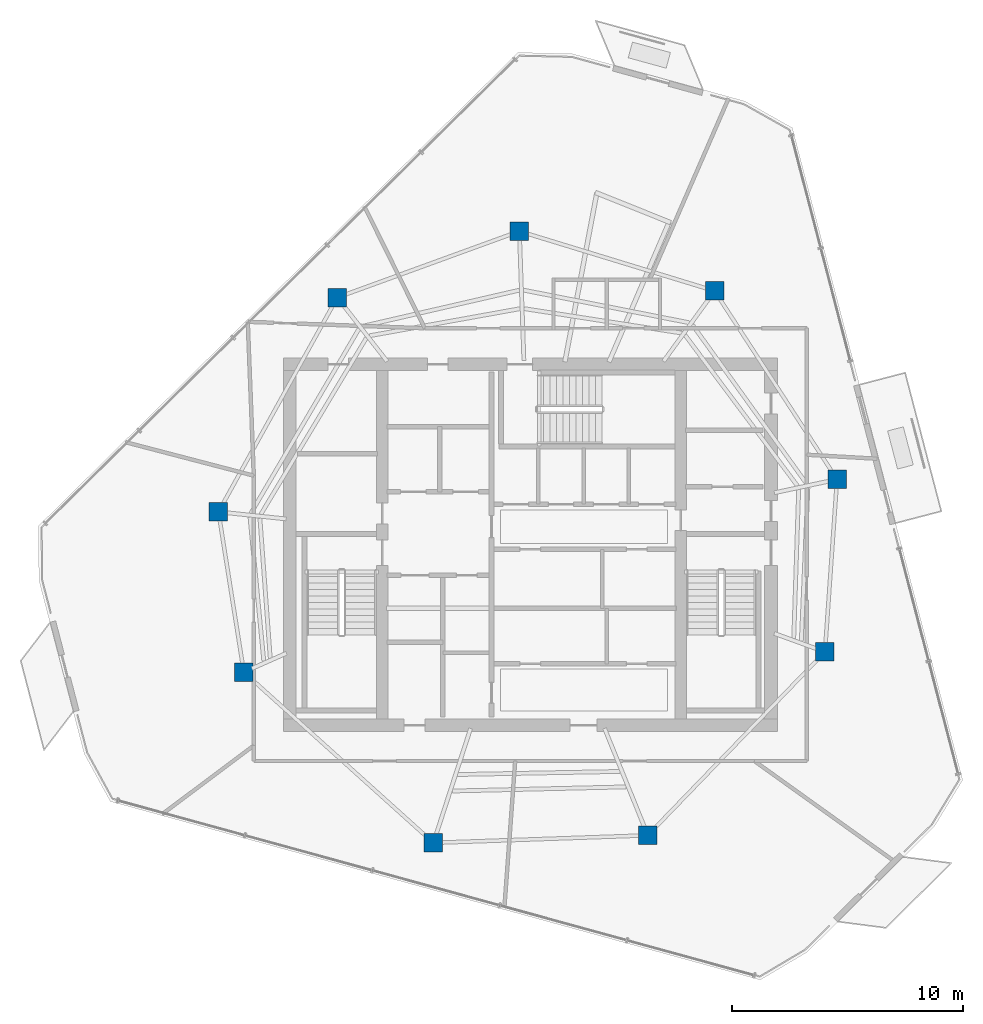
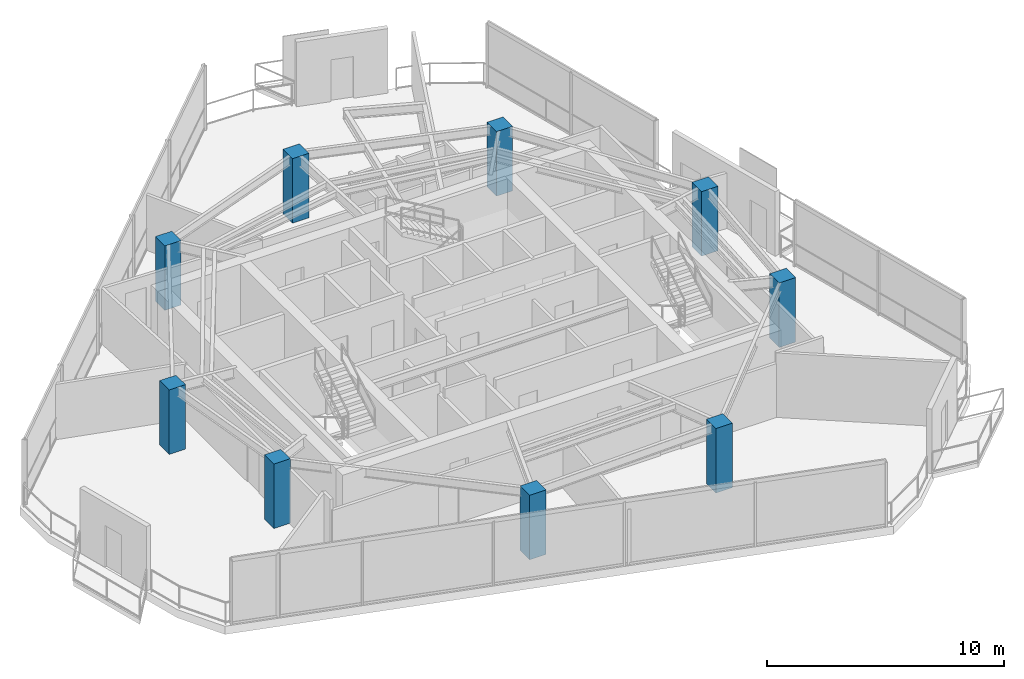
# One storey, part 1 of 19: 9 columns.
"""IFC4 building model written with IfcOpenShell, lengths in metres."""

import ifcopenshell
import ifcopenshell.guid

model = None  # the IFC model being written
_history = None  # IfcOwnerHistory: only IFC2X3 demands one
_inside = {}  # id of a spatial element -> (the spatial element, [elements in it])
_under = {}  # id of a project, library or spatial element -> (it, [spatial elements below it])
_declared = {}  # id of a project -> (the project, [libraries it declares])
_typed = {}  # id of a type object -> (the type object, [elements of that type])
_made_of = {}  # id of a material, layer set ... -> (it, [elements and type objects made of it])


def new_model(schema):
    """Start an empty IFC model of exactly this schema.

    Asked for "IFC4X3", IfcOpenShell would pick the latest addendum, in which some entities
    have other attributes; the version numbers below select the first issue.
    IFC2X3 requires an IfcOwnerHistory on every rooted entity: one is made here for all.
    """
    global model, _history
    if schema == "IFC4X3":
        model = ifcopenshell.file(schema_version=(4, 3, 0, 0))
    else:
        model = ifcopenshell.file(schema=schema)
    _inside.clear()
    _under.clear()
    _declared.clear()
    _typed.clear()
    _made_of.clear()
    _history = None
    if model.schema == "IFC2X3":
        org = make("IfcOrganization", Name="unknown")
        user = make(
            "IfcPersonAndOrganization",
            ThePerson=make("IfcPerson", FamilyName="unknown"),
            TheOrganization=org,
        )
        app = make(
            "IfcApplication",
            ApplicationDeveloper=org,
            Version="unknown",
            ApplicationFullName="unknown",
            ApplicationIdentifier="unknown",
        )
        _history = make(
            "IfcOwnerHistory",
            OwningUser=user,
            OwningApplication=app,
            ChangeAction="ADDED",
            CreationDate=0,
        )
    return model


def make(cls, **values):
    """One entity of the class cls with the attributes given. An attribute that is None is left unset."""
    return model.create_entity(
        cls, **{name: value for name, value in values.items() if value is not None}
    )


def rooted(cls, **values):
    """An entity with a GlobalId (a new one), such as an element, a storey or a relation."""
    return make(cls, GlobalId=ifcopenshell.guid.new(), OwnerHistory=_history, **values)


def si_unit(unit_type, name, prefix=None):
    """IfcSIUnit, for example si_unit("LENGTHUNIT", "METRE", prefix="MILLI")."""
    return make("IfcSIUnit", UnitType=unit_type, Prefix=prefix, Name=name)


def assignment(units):
    """IfcUnitAssignment: the units of a project."""
    return None if units is None else make("IfcUnitAssignment", Units=units)


def point(xyz):
    """IfcCartesianPoint."""
    return None if xyz is None else make("IfcCartesianPoint", Coordinates=xyz)


def direction(xyz):
    """IfcDirection."""
    return None if xyz is None else make("IfcDirection", DirectionRatios=xyz)


def frame(location, z_axis=None, x_axis=None):
    """IfcAxis2Placement3D, a coordinate frame: its origin and axes. An axis left out is left unset."""
    return make(
        "IfcAxis2Placement3D",
        Location=point(location),
        Axis=direction(z_axis),
        RefDirection=direction(x_axis),
    )


def frame_2d(location, x_axis=None):
    """IfcAxis2Placement2D, a coordinate frame in the plane: its origin and x axis."""
    return make(
        "IfcAxis2Placement2D", Location=point(location), RefDirection=direction(x_axis)
    )


def origin():
    """The frame at (0, 0, 0) with its axes left unset."""
    return frame((0.0, 0.0, 0.0))


def origin_2d():
    """The frame at (0, 0) in the plane with its x axis left unset."""
    return frame_2d((0.0, 0.0))


def place(relative_to, where):
    """IfcLocalPlacement: puts the frame where relative to a parent placement (None: the world)."""
    return make(
        "IfcLocalPlacement", PlacementRelTo=relative_to, RelativePlacement=where
    )


def context(
    kind, dimensions, precision=None, world=None, true_north=None, identifier=None
):
    """IfcGeometricRepresentationContext, for example the 3D "Model" context."""
    return make(
        "IfcGeometricRepresentationContext",
        ContextIdentifier=identifier,
        ContextType=kind,
        CoordinateSpaceDimension=dimensions,
        Precision=precision,
        WorldCoordinateSystem=world,
        TrueNorth=true_north,
    )


def subcontext(parent, identifier, kind, view, scale=None):
    """IfcGeometricRepresentationSubContext, for example "Body" below "Model"."""
    return make(
        "IfcGeometricRepresentationSubContext",
        ContextIdentifier=identifier,
        ContextType=kind,
        ParentContext=parent,
        TargetScale=scale,
        TargetView=view,
    )


def project(units=None, contexts=None):
    """IfcProject with its units and contexts."""
    return rooted(
        "IfcProject",
        Name="project",
        RepresentationContexts=contexts,
        UnitsInContext=assignment(units),
    )


def spatial(cls, under=None, at=None, **own):
    """A site, building, storey or space (cls), placed at a placement, below another one or the project."""
    s = rooted(cls, ObjectPlacement=at, **own)
    if under is not None:
        _under.setdefault(under.id(), (under, []))[1].append(s)
    return s


def profile(cls, at=None, kind="AREA", **sizes):
    """A parametric profile (cls). Its sizes go by their IFC names, for example OverallWidth=200.0."""
    return make(cls, ProfileType=kind, Position=at, **sizes)


def rectangle(**sizes):
    """IfcRectangleProfileDef."""
    return profile("IfcRectangleProfileDef", **sizes)


def extrude(swept, where, along, depth):
    """IfcExtrudedAreaSolid: the profile swept, set in the frame where, extruded along a direction by depth."""
    return make(
        "IfcExtrudedAreaSolid",
        SweptArea=swept,
        Position=where,
        ExtrudedDirection=direction(along),
        Depth=depth,
    )


def shape(context_of_items, identifier, shape_type, items):
    """IfcShapeRepresentation: the items that make up one representation, for example the "Body"."""
    return make(
        "IfcShapeRepresentation",
        ContextOfItems=context_of_items,
        RepresentationIdentifier=identifier,
        RepresentationType=shape_type,
        Items=items,
    )


def material(Name=None, Category=None):
    """IfcMaterial."""
    return make("IfcMaterial", Name=Name, Category=Category)


def material_profile(
    of_material, cross_section, Name=None, Category=None, Priority=None
):
    """IfcMaterialProfile: a cross section and its material."""
    return make(
        "IfcMaterialProfile",
        Name=Name,
        Material=of_material,
        Profile=cross_section,
        Priority=Priority,
        Category=Category,
    )


def profile_set(profiles, Name=None, composite=None):
    """IfcMaterialProfileSet."""
    return make(
        "IfcMaterialProfileSet",
        Name=Name,
        MaterialProfiles=profiles,
        CompositeProfile=composite,
    )


def made_of(thing, what):
    """Note that an element or type object is made of a material, layer set ...; save() writes the relation."""
    if what is not None:
        _made_of.setdefault(what.id(), (what, []))[1].append(thing)
    return thing


def type_object(cls, material=None, **own):
    """A type object (cls), such as IfcWallType, which elements share."""
    return made_of(rooted(cls, **own), material)


def element(
    cls,
    number,
    at=None,
    inside=None,
    cuts=None,
    type_object=None,
    material=None,
    context=None,
    identifier="Body",
    shape_type=None,
    held_by="IfcProductDefinitionShape",
    body=None,
    shapes=None,
    **own,
):
    """One element of the class cls, such as IfcWall. Its Tag is "e" and its number.

    at: its placement. inside: the storey or other place that contains it. cuts: it is an
    opening in that element (IfcRelVoidsElement). A single representation is given by context,
    identifier, shape_type and body (its items); several are given by shapes. held_by: the class
    of the entity that holds the representations. save() writes the other relations.
    """
    e = rooted(cls, Tag="e%d" % number, ObjectPlacement=at, **own)
    if body is not None:
        shapes = [shape(context, identifier, shape_type, body)]
    if shapes is not None:
        e.Representation = make(held_by, Representations=shapes)
    if inside is not None:
        _inside.setdefault(inside.id(), (inside, []))[1].append(e)
    if cuts is not None:
        rooted(
            "IfcRelVoidsElement", RelatingBuildingElement=cuts, RelatedOpeningElement=e
        )
    if type_object is not None:
        _typed.setdefault(type_object.id(), (type_object, []))[1].append(e)
    return made_of(e, material)


def aggregate(whole, parts):
    """IfcRelAggregates: a whole, such as a stair, and the parts it consists of."""
    return rooted("IfcRelAggregates", RelatingObject=whole, RelatedObjects=parts)


def save(model, path):
    """Write the relations noted so far, then the file.

    IfcRelAggregates (storeys below a building ...), IfcRelContainedInSpatialStructure (elements
    in a storey), IfcRelDefinesByType, IfcRelAssociatesMaterial and IfcRelDeclares: one each for
    every whole, place, type object, material and project.
    """
    for whole, parts in _under.values():
        aggregate(whole, parts)
    for where, things in _inside.values():
        rooted(
            "IfcRelContainedInSpatialStructure",
            RelatedElements=things,
            RelatingStructure=where,
        )
    for kind, things in _typed.values():
        rooted("IfcRelDefinesByType", RelatedObjects=things, RelatingType=kind)
    for what, things in _made_of.values():
        rooted("IfcRelAssociatesMaterial", RelatedObjects=things, RelatingMaterial=what)
    for by, libraries in _declared.values():
        rooted("IfcRelDeclares", RelatingContext=by, RelatedDefinitions=libraries)
    model.write(path)


model = new_model("IFC4")

# Units and contexts
model_context = context("Model", 3, precision=1e-05, world=origin(), true_north=direction((0.0, 1.0)))
body_context = subcontext(model_context, "Body", "Model", "MODEL_VIEW")
ifc_project = project(units=[si_unit("LENGTHUNIT", "METRE"), si_unit("AREAUNIT", "SQUARE_METRE"), si_unit("VOLUMEUNIT", "CUBIC_METRE"), si_unit("PLANEANGLEUNIT", "RADIAN"), si_unit("MASSUNIT", "GRAM", prefix="KILO")], contexts=[model_context])

# Site, building, storey
site_placement = place(None, origin())
site = spatial("IfcSite", under=ifc_project, at=site_placement, CompositionType="ELEMENT")
building_placement = place(site_placement, origin())
building = spatial("IfcBuilding", under=site, at=building_placement, Name="Qarnah Convention Tower", CompositionType="ELEMENT")
storey_placement = place(building_placement, frame((0.0, 0.0, 235.5)))
storey = spatial("IfcBuildingStorey", under=building, at=storey_placement, Name="L63", CompositionType="ELEMENT", Elevation=235.5)

# Columns
ifc_material = material(Name="Concrete C50/60", Category="concrete")
ifc_material_profile = material_profile(ifc_material, rectangle(XDim=0.800048828125, YDim=0.800048828125, at=origin_2d()), Name="RC-COL-800X800")
ifc_profile_set = profile_set([ifc_material_profile], Name="Concrete C50/60")
column_type = type_object("IfcColumnType", Name="COL-Z5-800", PredefinedType="COLUMN", material=ifc_profile_set)
for number, where, z_axis, x_axis, name in (
    (1, (50.4541015625, 29.217041015625, 0.0), (0.0, 0.0, 1.0), (1.0, 0.0, 0.0), "L63 plumb column PC-Z5-01"),
    (2, (45.1640625, 37.362060546875, 0.0), (0.0, 0.0, 1.0), (1.0, 0.0, 0.0), "L63 plumb column PC-Z5-02"),
    (3, (36.72705078125, 39.94189453125, 0.0), (0.0, 0.0, 1.0), (1.0, 0.0, 0.0), "L63 plumb column PC-Z5-03"),
    (4, (28.85791015625, 37.077880859375, 0.0), (0.0, 0.0, 1.0), (1.0, 0.0, 0.0), "L63 plumb column PC-Z5-04"),
    (5, (23.72412109375, 27.81591796875, 0.0), (0.0, 0.0, 1.0), (1.0, 0.0, 0.0), "L63 plumb column PC-Z5-05"),
    (6, (24.821044921875, 20.888916015625, 0.0), (0.0, 0.0, 1.0), (1.0, 0.0, 0.0), "L63 plumb column PC-Z5-06"),
    (7, (33.012939453125, 13.512939453125, 0.0), (0.0, 0.0, 1.0), (1.0, 0.0, 0.0), "L63 plumb column PC-Z5-07"),
    (8, (42.27587890625, 13.8369140625, 0.0), (0.0, 0.0, 1.0), (1.0, 0.0, 0.0), "L63 plumb column PC-Z5-08"),
    (9, (49.93310546875, 21.76611328125, 0.0), (0.0, 0.0, 1.0), (1.0, 0.0, 0.0), "L63 plumb column PC-Z5-09"),
):
    element("IfcColumn", number, at=place(storey_placement, frame(where, z_axis=z_axis, x_axis=x_axis)), inside=storey, type_object=column_type, Name=name, PredefinedType="COLUMN", context=body_context, shape_type="SweptSolid", body=[
        extrude(rectangle(XDim=0.800048828125, YDim=0.800048828125, at=origin_2d()), origin(), (0.0, 0.0, 1.0), 3.320068359375),
    ])

save(model, "model.ifc")
